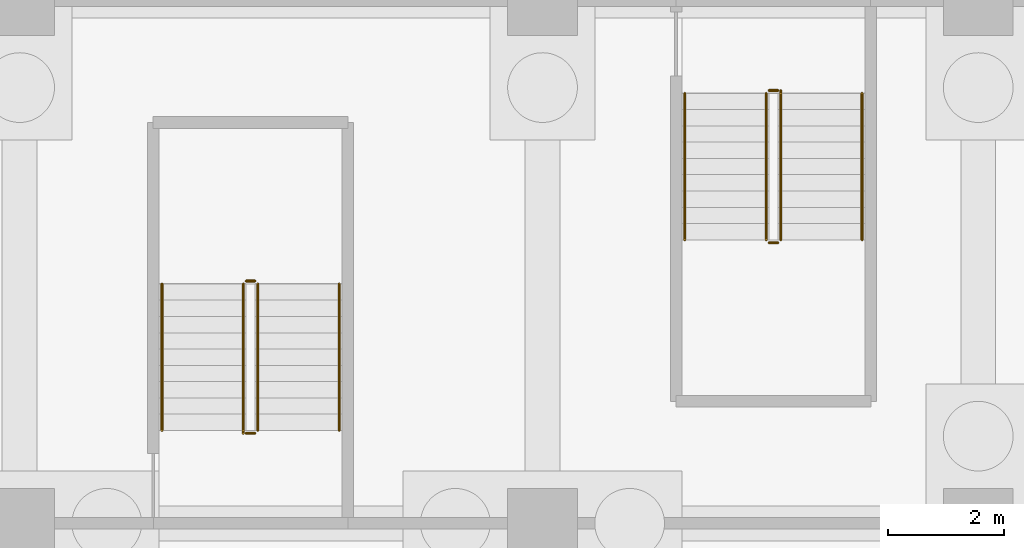
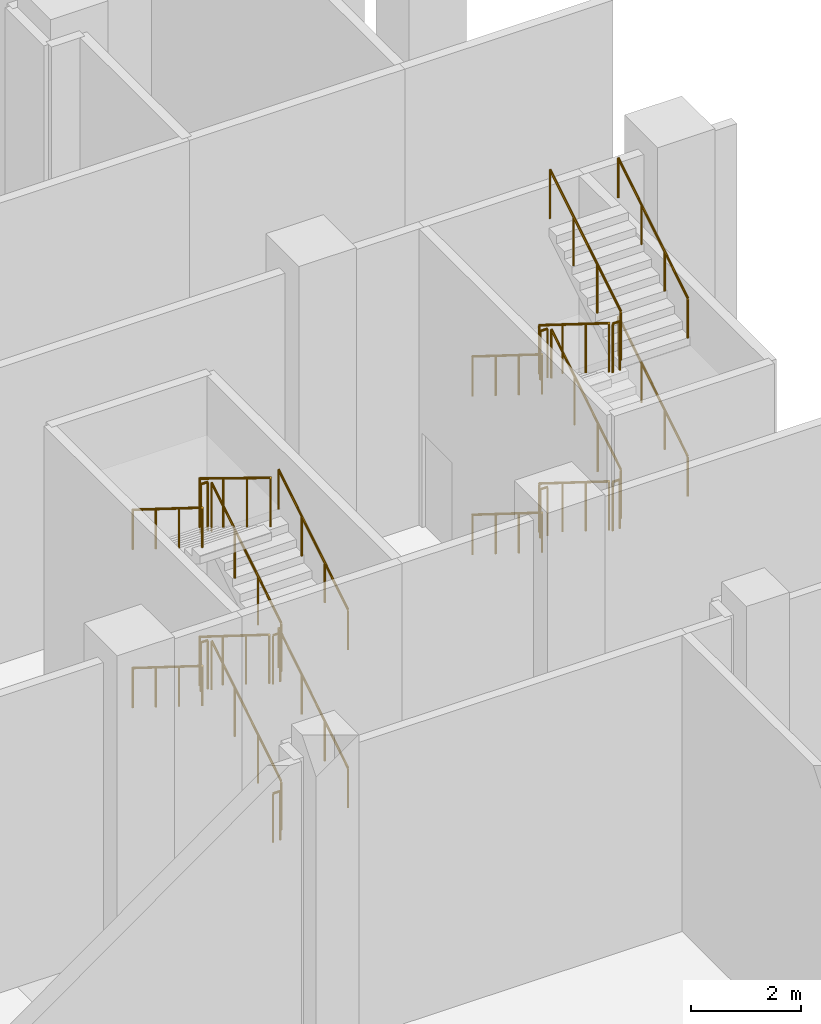
# One storey, part 22 of 23: 24 railings.
"""IFC4 building model written with IfcOpenShell, lengths in metres."""

from ifc_helpers import new_model, si_unit, direction, frame, origin, origin_2d, place, context, subcontext, project, spatial, circle, extrude, material, type_object, element, save


model = new_model("IFC4")

# Units and contexts
model_context = context("Model", 3, precision=1e-05, world=origin(), true_north=direction((0.0, 1.0)))
body_context = subcontext(model_context, "Body", "Model", "MODEL_VIEW")
ifc_project = project(units=[si_unit("LENGTHUNIT", "METRE"), si_unit("AREAUNIT", "SQUARE_METRE"), si_unit("VOLUMEUNIT", "CUBIC_METRE"), si_unit("PLANEANGLEUNIT", "RADIAN"), si_unit("MASSUNIT", "GRAM", prefix="KILO")], contexts=[model_context])

# Site, building, storey
site_placement = place(None, origin())
site = spatial("IfcSite", under=ifc_project, at=site_placement, CompositionType="ELEMENT")
building_placement = place(site_placement, origin())
building = spatial("IfcBuilding", under=site, at=building_placement, Name="Plateau Cross Towers", CompositionType="ELEMENT")
storey_placement = place(building_placement, frame((0.0, 0.0, -7.0)))
storey = spatial("IfcBuildingStorey", under=building, at=storey_placement, Name="B1", CompositionType="ELEMENT", Elevation=-7.0)

# Railings
ifc_material_1 = material(Name="Stainless steel and toughened glass", Category="steel")
railing_type_1 = type_object("IfcRailingType", Name="RL-GUARD-1100", PredefinedType="GUARDRAIL", material=ifc_material_1)
railing_1_placement = place(storey_placement, frame((94.10009765625, 28.60009765625, 0.175048828125)))
element("IfcRailing", 1, at=railing_1_placement, inside=storey, type_object=railing_type_1, Name="B1 PB5 stair guard 1", PredefinedType="GUARDRAIL", context=body_context, shape_type="SweptSolid", body=[
    extrude(circle(Radius=0.02392578125, at=origin_2d()), frame((0.0, 0.0, 1.076171875), z_axis=(0.0, 0.848007534815, 0.529984170421), x_axis=(-1.0, 0.0, 0.0)), (0.0, 0.0, 1.0), 2.9716796875),
    extrude(circle(Radius=0.02099609375, at=origin_2d()), origin(), (0.0, 0.0, 1.0), 1.052001953125),
    extrude(circle(Radius=0.02099609375, at=origin_2d()), frame((0.0, 0.840087890625, 0.52490234375)), (0.0, 0.0, 1.0), 1.052001953125),
    extrude(circle(Radius=0.02099609375, at=origin_2d()), frame((0.0, 1.679931640625, 1.050048828125)), (0.0, 0.0, 1.0), 1.052001953125),
    extrude(circle(Radius=0.02099609375, at=origin_2d()), frame((0.0, 2.52001953125, 1.574951171875)), (0.0, 0.0, 1.0), 1.052001953125),
])
railing_2_placement = place(storey_placement, frame((94.050048828125, 31.169921875, 1.75)))
element("IfcRailing", 2, at=railing_2_placement, inside=storey, type_object=railing_type_1, Name="B1 PB5 stair guard 2", PredefinedType="GUARDRAIL", context=body_context, shape_type="SweptSolid", body=[
    extrude(circle(Radius=0.02392578125, at=origin_2d()), frame((0.0, 0.0, 1.076171875), z_axis=(-1.0, 0.0, 0.0), x_axis=(0.0, -1.0, 0.0)), (0.0, 0.0, 1.0), 0.150146484375),
    extrude(circle(Radius=0.02099609375, at=origin_2d()), origin(), (0.0, 0.0, 1.0), 1.052001953125),
    extrude(circle(Radius=0.02099609375, at=origin_2d()), frame((-0.150146484375, 0.0, 0.0)), (0.0, 0.0, 1.0), 1.052001953125),
])
railing_3_placement = place(storey_placement, frame((93.85009765625, 31.1201171875, 1.925048828125)))
element("IfcRailing", 3, at=railing_3_placement, inside=storey, type_object=railing_type_1, Name="B1 PB5 stair guard 3", PredefinedType="GUARDRAIL", context=body_context, shape_type="SweptSolid", body=[
    extrude(circle(Radius=0.02392578125, at=origin_2d()), frame((0.0, 0.0, 1.076171875), z_axis=(0.0, -0.848007534815, 0.529984170421), x_axis=(1.0, 0.0, 0.0)), (0.0, 0.0, 1.0), 2.9716796875),
    extrude(circle(Radius=0.02099609375, at=origin_2d()), origin(), (0.0, 0.0, 1.0), 1.052001953125),
    extrude(circle(Radius=0.02099609375, at=origin_2d()), frame((0.0, -0.840087890625, 0.52490234375)), (0.0, 0.0, 1.0), 1.052001953125),
    extrude(circle(Radius=0.02099609375, at=origin_2d()), frame((0.0, -1.679931640625, 1.050048828125)), (0.0, 0.0, 1.0), 1.052001953125),
    extrude(circle(Radius=0.02099609375, at=origin_2d()), frame((0.0, -2.52001953125, 1.574951171875)), (0.0, 0.0, 1.0), 1.052001953125),
])
railing_4_placement = place(storey_placement, frame((94.050048828125, 28.550048828125, 3.5)))
element("IfcRailing", 4, at=railing_4_placement, inside=storey, type_object=railing_type_1, Name="B1 PB5 stair guard 4", PredefinedType="GUARDRAIL", context=body_context, shape_type="SweptSolid", body=[
    extrude(circle(Radius=0.02392578125, at=origin_2d()), frame((0.0, 0.0, 1.076171875), z_axis=(-1.0, 0.0, 0.0), x_axis=(0.0, -1.0, 0.0)), (0.0, 0.0, 1.0), 0.150146484375),
    extrude(circle(Radius=0.02099609375, at=origin_2d()), origin(), (0.0, 0.0, 1.0), 1.052001953125),
    extrude(circle(Radius=0.02099609375, at=origin_2d()), frame((-0.150146484375, 0.0, 0.0)), (0.0, 0.0, 1.0), 1.052001953125),
])
railing_5_placement = place(storey_placement, frame((94.10009765625, 28.60009765625, 3.675048828125)))
element("IfcRailing", 5, at=railing_5_placement, inside=storey, type_object=railing_type_1, Name="B1 PB5 stair guard 5", PredefinedType="GUARDRAIL", context=body_context, shape_type="SweptSolid", body=[
    extrude(circle(Radius=0.02392578125, at=origin_2d()), frame((0.0, 0.0, 1.076171875), z_axis=(0.0, 0.848007534815, 0.529984170421), x_axis=(-1.0, 0.0, 0.0)), (0.0, 0.0, 1.0), 2.9716796875),
    extrude(circle(Radius=0.02099609375, at=origin_2d()), origin(), (0.0, 0.0, 1.0), 1.052001953125),
    extrude(circle(Radius=0.02099609375, at=origin_2d()), frame((0.0, 0.840087890625, 0.52490234375)), (0.0, 0.0, 1.0), 1.052001953125),
    extrude(circle(Radius=0.02099609375, at=origin_2d()), frame((0.0, 1.679931640625, 1.050048828125)), (0.0, 0.0, 1.0), 1.052001953125),
    extrude(circle(Radius=0.02099609375, at=origin_2d()), frame((0.0, 2.52001953125, 1.574951171875)), (0.0, 0.0, 1.0), 1.052001953125),
])
railing_6_placement = place(storey_placement, frame((94.050048828125, 31.169921875, 5.25)))
element("IfcRailing", 6, at=railing_6_placement, inside=storey, type_object=railing_type_1, Name="B1 PB5 stair guard 6", PredefinedType="GUARDRAIL", context=body_context, shape_type="SweptSolid", body=[
    extrude(circle(Radius=0.02392578125, at=origin_2d()), frame((0.0, 0.0, 1.076171875), z_axis=(-1.0, 0.0, 0.0), x_axis=(0.0, -1.0, 0.0)), (0.0, 0.0, 1.0), 0.150146484375),
    extrude(circle(Radius=0.02099609375, at=origin_2d()), origin(), (0.0, 0.0, 1.0), 1.052001953125),
    extrude(circle(Radius=0.02099609375, at=origin_2d()), frame((-0.150146484375, 0.0, 0.0)), (0.0, 0.0, 1.0), 1.052001953125),
])
railing_7_placement = place(storey_placement, frame((93.85009765625, 31.1201171875, 5.425048828125)))
element("IfcRailing", 7, at=railing_7_placement, inside=storey, type_object=railing_type_1, Name="B1 PB5 stair guard 7", PredefinedType="GUARDRAIL", context=body_context, shape_type="SweptSolid", body=[
    extrude(circle(Radius=0.02392578125, at=origin_2d()), frame((0.0, 0.0, 1.076171875), z_axis=(0.0, -0.852638500773, 0.522501279423), x_axis=(1.0, 0.0, 0.0)), (0.0, 0.0, 1.0), 3.01416015625),
    extrude(circle(Radius=0.02099609375, at=origin_2d()), origin(), (0.0, 0.0, 1.0), 1.052001953125),
    extrude(circle(Radius=0.02099609375, at=origin_2d()), frame((0.0, -0.856689453125, 0.52490234375)), (0.0, 0.0, 1.0), 1.052001953125),
    extrude(circle(Radius=0.02099609375, at=origin_2d()), frame((0.0, -1.71337890625, 1.050048828125)), (0.0, 0.0, 1.0), 1.052001953125),
    extrude(circle(Radius=0.02099609375, at=origin_2d()), frame((0.0, -2.570068359375, 1.574951171875)), (0.0, 0.0, 1.0), 1.052001953125),
])
railing_8_placement = place(storey_placement, frame((94.050048828125, 28.550048828125, 0.0)))
element("IfcRailing", 8, at=railing_8_placement, inside=storey, type_object=railing_type_1, Name="B1 PB5 stair guard 8", PredefinedType="GUARDRAIL", context=body_context, shape_type="SweptSolid", body=[
    extrude(circle(Radius=0.02392578125, at=origin_2d()), frame((0.0, 0.0, 1.076171875), z_axis=(-1.0, 0.0, 0.0), x_axis=(0.0, -1.0, 0.0)), (0.0, 0.0, 1.0), 0.150146484375),
    extrude(circle(Radius=0.02099609375, at=origin_2d()), origin(), (0.0, 0.0, 1.0), 1.052001953125),
    extrude(circle(Radius=0.02099609375, at=origin_2d()), frame((-0.150146484375, 0.0, 0.0)), (0.0, 0.0, 1.0), 1.052001953125),
])
railing_9_placement = place(storey_placement, frame((102.85009765625, 34.39990234375, 0.175048828125)))
element("IfcRailing", 9, at=railing_9_placement, inside=storey, type_object=railing_type_1, Name="B1 PB6 stair guard 1", PredefinedType="GUARDRAIL", context=body_context, shape_type="SweptSolid", body=[
    extrude(circle(Radius=0.02392578125, at=origin_2d()), frame((0.0, 0.0, 1.076171875), z_axis=(0.0, -0.848007534815, 0.529984170421), x_axis=(1.0, 0.0, 0.0)), (0.0, 0.0, 1.0), 2.9716796875),
    extrude(circle(Radius=0.02099609375, at=origin_2d()), origin(), (0.0, 0.0, 1.0), 1.052001953125),
    extrude(circle(Radius=0.02099609375, at=origin_2d()), frame((0.0, -0.840087890625, 0.52490234375)), (0.0, 0.0, 1.0), 1.052001953125),
    extrude(circle(Radius=0.02099609375, at=origin_2d()), frame((0.0, -1.679931640625, 1.050048828125)), (0.0, 0.0, 1.0), 1.052001953125),
    extrude(circle(Radius=0.02099609375, at=origin_2d()), frame((0.0, -2.52001953125, 1.574951171875)), (0.0, 0.0, 1.0), 1.052001953125),
])
railing_10_placement = place(storey_placement, frame((102.89990234375, 31.830078125, 1.75)))
element("IfcRailing", 10, at=railing_10_placement, inside=storey, type_object=railing_type_1, Name="B1 PB6 stair guard 2", PredefinedType="GUARDRAIL", context=body_context, shape_type="SweptSolid", body=[
    extrude(circle(Radius=0.02392578125, at=origin_2d()), frame((0.0, 0.0, 1.076171875), z_axis=(1.0, 0.0, 0.0), x_axis=(0.0, 1.0, 0.0)), (0.0, 0.0, 1.0), 0.150146484375),
    extrude(circle(Radius=0.02099609375, at=origin_2d()), origin(), (0.0, 0.0, 1.0), 1.052001953125),
    extrude(circle(Radius=0.02099609375, at=origin_2d()), frame((0.150146484375, 0.0, 0.0)), (0.0, 0.0, 1.0), 1.052001953125),
])
railing_11_placement = place(storey_placement, frame((103.10009765625, 31.8798828125, 1.925048828125)))
element("IfcRailing", 11, at=railing_11_placement, inside=storey, type_object=railing_type_1, Name="B1 PB6 stair guard 3", PredefinedType="GUARDRAIL", context=body_context, shape_type="SweptSolid", body=[
    extrude(circle(Radius=0.02392578125, at=origin_2d()), frame((0.0, 0.0, 1.076171875), z_axis=(0.0, 0.848007534815, 0.529984170421), x_axis=(-1.0, 0.0, 0.0)), (0.0, 0.0, 1.0), 2.9716796875),
    extrude(circle(Radius=0.02099609375, at=origin_2d()), origin(), (0.0, 0.0, 1.0), 1.052001953125),
    extrude(circle(Radius=0.02099609375, at=origin_2d()), frame((0.0, 0.840087890625, 0.52490234375)), (0.0, 0.0, 1.0), 1.052001953125),
    extrude(circle(Radius=0.02099609375, at=origin_2d()), frame((0.0, 1.679931640625, 1.050048828125)), (0.0, 0.0, 1.0), 1.052001953125),
    extrude(circle(Radius=0.02099609375, at=origin_2d()), frame((0.0, 2.52001953125, 1.574951171875)), (0.0, 0.0, 1.0), 1.052001953125),
])
railing_12_placement = place(storey_placement, frame((102.89990234375, 34.449951171875, 3.5)))
element("IfcRailing", 12, at=railing_12_placement, inside=storey, type_object=railing_type_1, Name="B1 PB6 stair guard 4", PredefinedType="GUARDRAIL", context=body_context, shape_type="SweptSolid", body=[
    extrude(circle(Radius=0.02392578125, at=origin_2d()), frame((0.0, 0.0, 1.076171875), z_axis=(1.0, 0.0, 0.0), x_axis=(0.0, 1.0, 0.0)), (0.0, 0.0, 1.0), 0.150146484375),
    extrude(circle(Radius=0.02099609375, at=origin_2d()), origin(), (0.0, 0.0, 1.0), 1.052001953125),
    extrude(circle(Radius=0.02099609375, at=origin_2d()), frame((0.150146484375, 0.0, 0.0)), (0.0, 0.0, 1.0), 1.052001953125),
])
railing_13_placement = place(storey_placement, frame((102.85009765625, 34.39990234375, 3.675048828125)))
element("IfcRailing", 13, at=railing_13_placement, inside=storey, type_object=railing_type_1, Name="B1 PB6 stair guard 5", PredefinedType="GUARDRAIL", context=body_context, shape_type="SweptSolid", body=[
    extrude(circle(Radius=0.02392578125, at=origin_2d()), frame((0.0, 0.0, 1.076171875), z_axis=(0.0, -0.848007534815, 0.529984170421), x_axis=(1.0, 0.0, 0.0)), (0.0, 0.0, 1.0), 2.9716796875),
    extrude(circle(Radius=0.02099609375, at=origin_2d()), origin(), (0.0, 0.0, 1.0), 1.052001953125),
    extrude(circle(Radius=0.02099609375, at=origin_2d()), frame((0.0, -0.840087890625, 0.52490234375)), (0.0, 0.0, 1.0), 1.052001953125),
    extrude(circle(Radius=0.02099609375, at=origin_2d()), frame((0.0, -1.679931640625, 1.050048828125)), (0.0, 0.0, 1.0), 1.052001953125),
    extrude(circle(Radius=0.02099609375, at=origin_2d()), frame((0.0, -2.52001953125, 1.574951171875)), (0.0, 0.0, 1.0), 1.052001953125),
])
railing_14_placement = place(storey_placement, frame((102.89990234375, 31.830078125, 5.25)))
element("IfcRailing", 14, at=railing_14_placement, inside=storey, type_object=railing_type_1, Name="B1 PB6 stair guard 6", PredefinedType="GUARDRAIL", context=body_context, shape_type="SweptSolid", body=[
    extrude(circle(Radius=0.02392578125, at=origin_2d()), frame((0.0, 0.0, 1.076171875), z_axis=(1.0, 0.0, 0.0), x_axis=(0.0, 1.0, 0.0)), (0.0, 0.0, 1.0), 0.150146484375),
    extrude(circle(Radius=0.02099609375, at=origin_2d()), origin(), (0.0, 0.0, 1.0), 1.052001953125),
    extrude(circle(Radius=0.02099609375, at=origin_2d()), frame((0.150146484375, 0.0, 0.0)), (0.0, 0.0, 1.0), 1.052001953125),
])
railing_15_placement = place(storey_placement, frame((103.10009765625, 31.8798828125, 5.425048828125)))
element("IfcRailing", 15, at=railing_15_placement, inside=storey, type_object=railing_type_1, Name="B1 PB6 stair guard 7", PredefinedType="GUARDRAIL", context=body_context, shape_type="SweptSolid", body=[
    extrude(circle(Radius=0.02392578125, at=origin_2d()), frame((0.0, 0.0, 1.076171875), z_axis=(0.0, 0.852638500773, 0.522501279423), x_axis=(-1.0, 0.0, 0.0)), (0.0, 0.0, 1.0), 3.01416015625),
    extrude(circle(Radius=0.02099609375, at=origin_2d()), origin(), (0.0, 0.0, 1.0), 1.052001953125),
    extrude(circle(Radius=0.02099609375, at=origin_2d()), frame((0.0, 0.856689453125, 0.52490234375)), (0.0, 0.0, 1.0), 1.052001953125),
    extrude(circle(Radius=0.02099609375, at=origin_2d()), frame((0.0, 1.71337890625, 1.050048828125)), (0.0, 0.0, 1.0), 1.052001953125),
    extrude(circle(Radius=0.02099609375, at=origin_2d()), frame((0.0, 2.570068359375, 1.574951171875)), (0.0, 0.0, 1.0), 1.052001953125),
])
railing_16_placement = place(storey_placement, frame((102.89990234375, 34.449951171875, 0.0)))
element("IfcRailing", 16, at=railing_16_placement, inside=storey, type_object=railing_type_1, Name="B1 PB6 stair guard 8", PredefinedType="GUARDRAIL", context=body_context, shape_type="SweptSolid", body=[
    extrude(circle(Radius=0.02392578125, at=origin_2d()), frame((0.0, 0.0, 1.076171875), z_axis=(1.0, 0.0, 0.0), x_axis=(0.0, 1.0, 0.0)), (0.0, 0.0, 1.0), 0.150146484375),
    extrude(circle(Radius=0.02099609375, at=origin_2d()), origin(), (0.0, 0.0, 1.0), 1.052001953125),
    extrude(circle(Radius=0.02099609375, at=origin_2d()), frame((0.150146484375, 0.0, 0.0)), (0.0, 0.0, 1.0), 1.052001953125),
])
ifc_material_2 = material(Name="Black anodised aluminium", Category="aluminium")
railing_type_2 = type_object("IfcRailingType", Name="RL-HANDRAIL-900", PredefinedType="HANDRAIL", material=ifc_material_2)
railing_17_placement = place(storey_placement, frame((95.5, 28.60009765625, 0.175048828125)))
element("IfcRailing", 17, at=railing_17_placement, inside=storey, type_object=railing_type_2, Name="B1 PB5 stair handrail 1", PredefinedType="HANDRAIL", context=body_context, shape_type="SweptSolid", body=[
    extrude(circle(Radius=0.02392578125, at=origin_2d()), frame((0.0, 0.0, 0.8759765625), z_axis=(0.0, 0.848007534815, 0.529984170421), x_axis=(-1.0, 0.0, 0.0)), (0.0, 0.0, 1.0), 2.9716796875),
    extrude(circle(Radius=0.02099609375, at=origin_2d()), origin(), (0.0, 0.0, 1.0), 0.851806640625),
    extrude(circle(Radius=0.02099609375, at=origin_2d()), frame((0.0, 0.840087890625, 0.52490234375)), (0.0, 0.0, 1.0), 0.851806640625),
    extrude(circle(Radius=0.02099609375, at=origin_2d()), frame((0.0, 1.679931640625, 1.050048828125)), (0.0, 0.0, 1.0), 0.851806640625),
    extrude(circle(Radius=0.02099609375, at=origin_2d()), frame((0.0, 2.52001953125, 1.574951171875)), (0.0, 0.0, 1.0), 0.851806640625),
])
railing_18_placement = place(storey_placement, frame((92.449951171875, 31.1201171875, 1.925048828125)))
element("IfcRailing", 18, at=railing_18_placement, inside=storey, type_object=railing_type_2, Name="B1 PB5 stair handrail 2", PredefinedType="HANDRAIL", context=body_context, shape_type="SweptSolid", body=[
    extrude(circle(Radius=0.02392578125, at=origin_2d()), frame((0.0, 0.0, 0.8759765625), z_axis=(0.0, -0.848007534815, 0.529984170421), x_axis=(1.0, 0.0, 0.0)), (0.0, 0.0, 1.0), 2.9716796875),
    extrude(circle(Radius=0.02099609375, at=origin_2d()), origin(), (0.0, 0.0, 1.0), 0.851806640625),
    extrude(circle(Radius=0.02099609375, at=origin_2d()), frame((0.0, -0.840087890625, 0.52490234375)), (0.0, 0.0, 1.0), 0.851806640625),
    extrude(circle(Radius=0.02099609375, at=origin_2d()), frame((0.0, -1.679931640625, 1.050048828125)), (0.0, 0.0, 1.0), 0.851806640625),
    extrude(circle(Radius=0.02099609375, at=origin_2d()), frame((0.0, -2.52001953125, 1.574951171875)), (0.0, 0.0, 1.0), 0.851806640625),
])
railing_19_placement = place(storey_placement, frame((95.5, 28.60009765625, 3.675048828125)))
element("IfcRailing", 19, at=railing_19_placement, inside=storey, type_object=railing_type_2, Name="B1 PB5 stair handrail 3", PredefinedType="HANDRAIL", context=body_context, shape_type="SweptSolid", body=[
    extrude(circle(Radius=0.02392578125, at=origin_2d()), frame((0.0, 0.0, 0.8759765625), z_axis=(0.0, 0.848007534815, 0.529984170421), x_axis=(-1.0, 0.0, 0.0)), (0.0, 0.0, 1.0), 2.9716796875),
    extrude(circle(Radius=0.02099609375, at=origin_2d()), origin(), (0.0, 0.0, 1.0), 0.851806640625),
    extrude(circle(Radius=0.02099609375, at=origin_2d()), frame((0.0, 0.840087890625, 0.52490234375)), (0.0, 0.0, 1.0), 0.851806640625),
    extrude(circle(Radius=0.02099609375, at=origin_2d()), frame((0.0, 1.679931640625, 1.050048828125)), (0.0, 0.0, 1.0), 0.851806640625),
    extrude(circle(Radius=0.02099609375, at=origin_2d()), frame((0.0, 2.52001953125, 1.574951171875)), (0.0, 0.0, 1.0), 0.851806640625),
])
for number, where, name in (
    (20, (92.449951171875, 31.1201171875, 5.425048828125), "B1 PB5 stair handrail 4"),
    (21, (101.449951171875, 34.39990234375, 0.175048828125), "B1 PB6 stair handrail 1"),
):
    element("IfcRailing", number, at=place(storey_placement, frame(where)), inside=storey, type_object=railing_type_2, Name=name, PredefinedType="HANDRAIL", context=body_context, shape_type="SweptSolid", body=[
        extrude(circle(Radius=0.02392578125, at=origin_2d()), frame((0.0, 0.0, 0.8759765625), z_axis=(0.0, -0.848007534815, 0.529984170421), x_axis=(1.0, 0.0, 0.0)), (0.0, 0.0, 1.0), 2.9716796875),
        extrude(circle(Radius=0.02099609375, at=origin_2d()), origin(), (0.0, 0.0, 1.0), 0.851806640625),
        extrude(circle(Radius=0.02099609375, at=origin_2d()), frame((0.0, -0.840087890625, 0.52490234375)), (0.0, 0.0, 1.0), 0.851806640625),
        extrude(circle(Radius=0.02099609375, at=origin_2d()), frame((0.0, -1.679931640625, 1.050048828125)), (0.0, 0.0, 1.0), 0.851806640625),
        extrude(circle(Radius=0.02099609375, at=origin_2d()), frame((0.0, -2.52001953125, 1.574951171875)), (0.0, 0.0, 1.0), 0.851806640625),
    ])
railing_20_placement = place(storey_placement, frame((104.5, 31.8798828125, 1.925048828125)))
element("IfcRailing", 22, at=railing_20_placement, inside=storey, type_object=railing_type_2, Name="B1 PB6 stair handrail 2", PredefinedType="HANDRAIL", context=body_context, shape_type="SweptSolid", body=[
    extrude(circle(Radius=0.02392578125, at=origin_2d()), frame((0.0, 0.0, 0.8759765625), z_axis=(0.0, 0.848007534815, 0.529984170421), x_axis=(-1.0, 0.0, 0.0)), (0.0, 0.0, 1.0), 2.9716796875),
    extrude(circle(Radius=0.02099609375, at=origin_2d()), origin(), (0.0, 0.0, 1.0), 0.851806640625),
    extrude(circle(Radius=0.02099609375, at=origin_2d()), frame((0.0, 0.840087890625, 0.52490234375)), (0.0, 0.0, 1.0), 0.851806640625),
    extrude(circle(Radius=0.02099609375, at=origin_2d()), frame((0.0, 1.679931640625, 1.050048828125)), (0.0, 0.0, 1.0), 0.851806640625),
    extrude(circle(Radius=0.02099609375, at=origin_2d()), frame((0.0, 2.52001953125, 1.574951171875)), (0.0, 0.0, 1.0), 0.851806640625),
])
railing_21_placement = place(storey_placement, frame((101.449951171875, 34.39990234375, 3.675048828125)))
element("IfcRailing", 23, at=railing_21_placement, inside=storey, type_object=railing_type_2, Name="B1 PB6 stair handrail 3", PredefinedType="HANDRAIL", context=body_context, shape_type="SweptSolid", body=[
    extrude(circle(Radius=0.02392578125, at=origin_2d()), frame((0.0, 0.0, 0.8759765625), z_axis=(0.0, -0.848007534815, 0.529984170421), x_axis=(1.0, 0.0, 0.0)), (0.0, 0.0, 1.0), 2.9716796875),
    extrude(circle(Radius=0.02099609375, at=origin_2d()), origin(), (0.0, 0.0, 1.0), 0.851806640625),
    extrude(circle(Radius=0.02099609375, at=origin_2d()), frame((0.0, -0.840087890625, 0.52490234375)), (0.0, 0.0, 1.0), 0.851806640625),
    extrude(circle(Radius=0.02099609375, at=origin_2d()), frame((0.0, -1.679931640625, 1.050048828125)), (0.0, 0.0, 1.0), 0.851806640625),
    extrude(circle(Radius=0.02099609375, at=origin_2d()), frame((0.0, -2.52001953125, 1.574951171875)), (0.0, 0.0, 1.0), 0.851806640625),
])
railing_22_placement = place(storey_placement, frame((104.5, 31.8798828125, 5.425048828125)))
element("IfcRailing", 24, at=railing_22_placement, inside=storey, type_object=railing_type_2, Name="B1 PB6 stair handrail 4", PredefinedType="HANDRAIL", context=body_context, shape_type="SweptSolid", body=[
    extrude(circle(Radius=0.02392578125, at=origin_2d()), frame((0.0, 0.0, 0.8759765625), z_axis=(0.0, 0.848007534815, 0.529984170421), x_axis=(-1.0, 0.0, 0.0)), (0.0, 0.0, 1.0), 2.9716796875),
    extrude(circle(Radius=0.02099609375, at=origin_2d()), origin(), (0.0, 0.0, 1.0), 0.851806640625),
    extrude(circle(Radius=0.02099609375, at=origin_2d()), frame((0.0, 0.840087890625, 0.52490234375)), (0.0, 0.0, 1.0), 0.851806640625),
    extrude(circle(Radius=0.02099609375, at=origin_2d()), frame((0.0, 1.679931640625, 1.050048828125)), (0.0, 0.0, 1.0), 0.851806640625),
    extrude(circle(Radius=0.02099609375, at=origin_2d()), frame((0.0, 2.52001953125, 1.574951171875)), (0.0, 0.0, 1.0), 0.851806640625),
])

save(model, "model.ifc")
